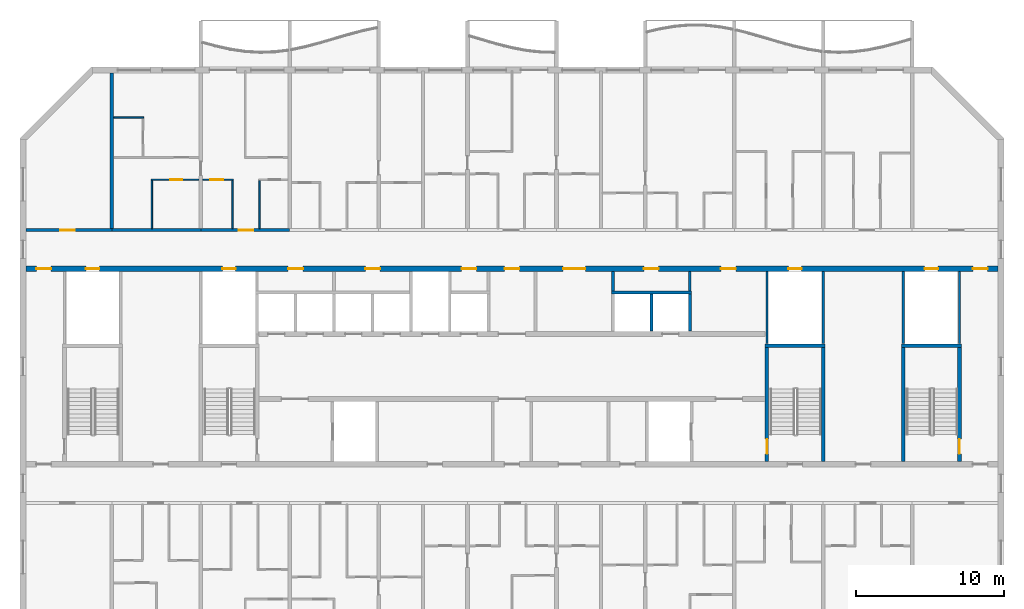
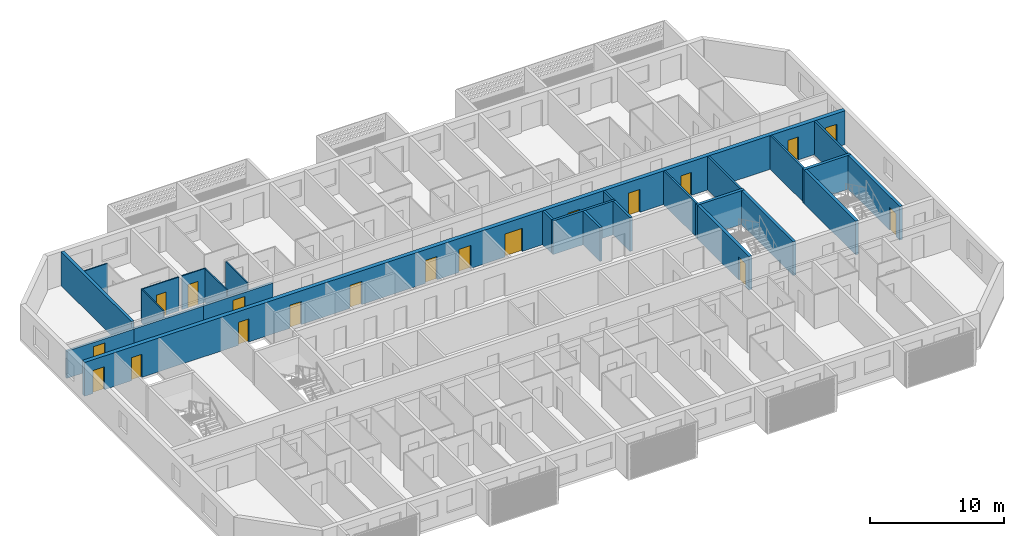
# One storey, part 7 of 26: 26 walls, 19 doors, 19 openings.
"""IFC4 building model written with IfcOpenShell, lengths in metres."""

from ifc_helpers import new_model, si_unit, direction, frame, frame_2d, origin, place, context, subcontext, project, spatial, rectangle, extrude, material, layer, layer_set, type_object, element, fill, save


model = new_model("IFC4")

# Units and contexts
model_context = context("Model", 3, precision=1e-05, world=origin(), true_north=direction((0.0, 1.0)))
body_context = subcontext(model_context, "Body", "Model", "MODEL_VIEW")
ifc_project = project(units=[si_unit("LENGTHUNIT", "METRE"), si_unit("AREAUNIT", "SQUARE_METRE"), si_unit("VOLUMEUNIT", "CUBIC_METRE"), si_unit("PLANEANGLEUNIT", "RADIAN"), si_unit("MASSUNIT", "GRAM", prefix="KILO")], contexts=[model_context])

# Site, building, storey
site_placement = place(None, origin())
site = spatial("IfcSite", under=ifc_project, at=site_placement, CompositionType="ELEMENT")
building_placement = place(site_placement, origin())
building = spatial("IfcBuilding", under=site, at=building_placement, Name="Poui Terraces", CompositionType="ELEMENT")
storey_placement = place(building_placement, frame((0.0, 0.0, 221.39990234375)))
storey = spatial("IfcBuildingStorey", under=building, at=storey_placement, Name="L61", CompositionType="ELEMENT", Elevation=221.39990234375)

# Wall, opening, door
ifc_material_1 = material(Name="Concrete 50 MPa", Category="concrete")
ifc_layer_1 = layer(ifc_material_1, 0.199951171875)
ifc_layer_set_1 = layer_set([ifc_layer_1], Name="Concrete 50 MPa")
wall_type_1 = type_object("IfcWallType", Name="CORRIDOR WALL 200 50MPa", PredefinedType="SHEAR", material=ifc_layer_set_1)
wall_1_placement = place(storey_placement, frame((18.199951171875, 30.39990234375, 0.0), z_axis=(0.0, 0.0, 1.0), x_axis=(1.0, 0.0, 0.0)))
wall_1 = element("IfcWall", 1, at=wall_1_placement, inside=storey, type_object=wall_type_1, Name="CORRIDOR WALL LINE E BAY 1", PredefinedType="SHEAR", context=body_context, shape_type="SweptSolid", body=[
    extrude(rectangle(XDim=5.800048828125, YDim=0.199951171875, at=frame_2d((2.89990234375, 0.0))), origin(), (0.0, 0.0, 1.0), 2.47998046875),
])
opening_1_placement = place(wall_1_placement, frame((2.300048828125, 0.0, 0.0)))
opening_1 = element("IfcOpeningElement", 2, at=opening_1_placement, cuts=wall_1, Name="Opening D100", PredefinedType="OPENING", context=body_context, shape_type="SweptSolid", body=[
    extrude(rectangle(XDim=1.0, YDim=2.10009765625, at=frame_2d((0.5, 1.050048828125))), frame((0.0, 0.10986328125, 0.0), z_axis=(0.0, -1.0, 0.0), x_axis=(1.0, 0.0, 0.0)), (0.0, 0.0, 1.0), 0.219970703125),
])
ifc_material_2 = material(Name="Solid core timber door", Category="wood")
door_type_1 = type_object("IfcDoorType", Name="ACCESSIBLE INTERNAL DOOR 1000 X 2100", OperationType="NOTDEFINED", PredefinedType="DOOR", material=ifc_material_2)
door_1_placement = place(opening_1_placement, origin())
door_1 = element("IfcDoor", 3, at=door_1_placement, inside=storey, type_object=door_type_1, Name="ACCESSIBLE INTERNAL DOOR 024", OperationType="SINGLE_SWING_LEFT", OverallHeight=2.10009765625, OverallWidth=1.0, PredefinedType="DOOR", context=body_context, shape_type="SweptSolid", body=[
    extrude(rectangle(XDim=1.0, YDim=2.10009765625, at=frame_2d((0.5, 1.050048828125))), frame((0.0, 0.02490234375, 0.0), z_axis=(0.0, -1.0, 0.0), x_axis=(1.0, 0.0, 0.0)), (0.0, 0.0, 1.0), 0.050048828125),
])
fill(opening_1, door_1)

# Wall
wall_2_placement = place(storey_placement, frame((24.0, 30.39990234375, 0.0), z_axis=(0.0, 0.0, 1.0), x_axis=(1.0, 0.0, 0.0)))
element("IfcWall", 4, at=wall_2_placement, inside=storey, type_object=wall_type_1, Name="CORRIDOR WALL LINE E BAY 2", PredefinedType="SHEAR", context=body_context, shape_type="SweptSolid", body=[
    extrude(rectangle(XDim=6.0, YDim=0.199951171875, at=frame_2d((3.0, 0.0))), origin(), (0.0, 0.0, 1.0), 2.47998046875),
])

# Wall, opening, door
wall_3_placement = place(storey_placement, frame((30.0, 30.39990234375, 0.0), z_axis=(0.0, 0.0, 1.0), x_axis=(1.0, 0.0, 0.0)))
wall_3 = element("IfcWall", 5, at=wall_3_placement, inside=storey, type_object=wall_type_1, Name="CORRIDOR WALL LINE E BAY 3", PredefinedType="SHEAR", context=body_context, shape_type="SweptSolid", body=[
    extrude(rectangle(XDim=6.0, YDim=0.199951171875, at=frame_2d((3.0, 0.0))), origin(), (0.0, 0.0, 1.0), 2.47998046875),
])
opening_2_placement = place(wall_3_placement, frame((2.550048828125, 0.0, 0.0)))
opening_2 = element("IfcOpeningElement", 6, at=opening_2_placement, cuts=wall_3, Name="Opening FD30S", PredefinedType="OPENING", context=body_context, shape_type="SweptSolid", body=[
    extrude(rectangle(XDim=1.0, YDim=2.10009765625, at=frame_2d((0.5, 1.050048828125))), frame((0.0, 0.10986328125, 0.0), z_axis=(0.0, -1.0, 0.0), x_axis=(1.0, 0.0, 0.0)), (0.0, 0.0, 1.0), 0.219970703125),
])
ifc_material_3 = material(Name="Steel fire door", Category="steel")
door_type_2 = type_object("IfcDoorType", Name="FLAT ENTRANCE DOOR 1000 X 2100", OperationType="NOTDEFINED", PredefinedType="DOOR", material=ifc_material_3)
door_2_placement = place(opening_2_placement, origin())
door_2 = element("IfcDoor", 7, at=door_2_placement, inside=storey, type_object=door_type_2, Name="FLAT ENTRANCE DOOR 029", OperationType="SINGLE_SWING_RIGHT", OverallHeight=2.10009765625, OverallWidth=1.0, PredefinedType="DOOR", context=body_context, shape_type="SweptSolid", body=[
    extrude(rectangle(XDim=1.0, YDim=2.10009765625, at=frame_2d((0.5, 1.050048828125))), frame((0.0, 0.02490234375, 0.0), z_axis=(0.0, -1.0, 0.0), x_axis=(1.0, 0.0, 0.0)), (0.0, 0.0, 1.0), 0.050048828125),
])
fill(opening_2, door_2)

# Wall
ifc_layer_2 = layer(ifc_material_1, 0.25)
ifc_layer_set_2 = layer_set([ifc_layer_2], Name="Concrete 50 MPa")
wall_type_2 = type_object("IfcWallType", Name="CROSS WALL 250 50MPa", PredefinedType="SHEAR", material=ifc_layer_set_2)
wall_4_placement = place(storey_placement, frame((24.0, 30.5, 0.0), z_axis=(0.0, 0.0, 1.0), x_axis=(0.0, 1.0, 0.0)))
element("IfcWall", 8, at=wall_4_placement, inside=storey, type_object=wall_type_2, Name="CROSS WALL LINE 5 NORTH", PredefinedType="SHEAR", context=body_context, shape_type="SweptSolid", body=[
    extrude(rectangle(XDim=10.5, YDim=0.25, at=frame_2d((5.25, 0.0))), origin(), (0.0, 0.0, 1.0), 3.080078125),
])

# Wall, opening, door
ifc_material_4 = material(Name="Plasterboard partition")
ifc_layer_3 = layer(ifc_material_4, 0.10009765625)
ifc_layer_set_3 = layer_set([ifc_layer_3], Name="Plasterboard partition")
wall_type_3 = type_object("IfcWallType", Name="FLAT PARTITION 100", PredefinedType="PARTITIONING", material=ifc_layer_set_3)
wall_5_placement = place(storey_placement, frame((26.64990234375, 33.800048828125, 0.0), z_axis=(0.0, 0.0, 1.0), x_axis=(1.0, 0.0, 0.0)))
wall_5 = element("IfcWall", 9, at=wall_5_placement, inside=storey, type_object=wall_type_3, Name="FLAT PARTITION 100", PredefinedType="PARTITIONING", context=body_context, shape_type="SweptSolid", body=[
    extrude(rectangle(XDim=3.215087890625, YDim=0.10009765625, at=frame_2d((1.607421875, 0.0))), origin(), (0.0, 0.0, 1.0), 3.080078125),
])
opening_3_placement = place(wall_5_placement, frame((1.300048828125, 0.0, 0.0)))
opening_3 = element("IfcOpeningElement", 10, at=opening_3_placement, cuts=wall_5, Name="Opening D80", PredefinedType="OPENING", context=body_context, shape_type="SweptSolid", body=[
    extrude(rectangle(XDim=0.800048828125, YDim=2.10009765625, at=frame_2d((0.39990234375, 1.050048828125))), frame((0.0, 0.06005859375, 0.0), z_axis=(0.0, -1.0, 0.0), x_axis=(1.0, 0.0, 0.0)), (0.0, 0.0, 1.0), 0.1201171875),
])
door_type_3 = type_object("IfcDoorType", Name="BATHROOM, LAUNDRY AND STORE DOOR 800 X 2100", OperationType="NOTDEFINED", PredefinedType="DOOR", material=ifc_material_2)
door_3_placement = place(opening_3_placement, origin())
door_3 = element("IfcDoor", 11, at=door_3_placement, inside=storey, type_object=door_type_3, Name="BATHROOM, LAUNDRY AND STORE DOOR 025", OperationType="SINGLE_SWING_LEFT", OverallHeight=2.10009765625, OverallWidth=0.800048828125, PredefinedType="DOOR", context=body_context, shape_type="SweptSolid", body=[
    extrude(rectangle(XDim=0.800048828125, YDim=2.10009765625, at=frame_2d((0.39990234375, 1.050048828125))), frame((0.0, 0.02490234375, 0.0), z_axis=(0.0, -1.0, 0.0), x_axis=(1.0, 0.0, 0.0)), (0.0, 0.0, 1.0), 0.050048828125),
])
fill(opening_3, door_3)

wall_6_placement = place(storey_placement, frame((30.135009765625, 33.800048828125, 0.0), z_axis=(0.0, 0.0, 1.0), x_axis=(1.0, 0.0, 0.0)))
wall_6 = element("IfcWall", 12, at=wall_6_placement, inside=storey, type_object=wall_type_3, Name="FLAT PARTITION 100", PredefinedType="PARTITIONING", context=body_context, shape_type="SweptSolid", body=[
    extrude(rectangle(XDim=2.06494140625, YDim=0.10009765625, at=frame_2d((1.032470703125, 0.0))), origin(), (0.0, 0.0, 1.0), 3.080078125),
])
opening_4_placement = place(wall_6_placement, frame((0.489990234375, 0.0, 0.0)))
opening_4 = element("IfcOpeningElement", 13, at=opening_4_placement, cuts=wall_6, Name="Opening D90", PredefinedType="OPENING", context=body_context, shape_type="SweptSolid", body=[
    extrude(rectangle(XDim=0.89990234375, YDim=2.10009765625, at=frame_2d((0.449951171875, 1.050048828125))), frame((0.0, 0.06005859375, 0.0), z_axis=(0.0, -1.0, 0.0), x_axis=(1.0, 0.0, 0.0)), (0.0, 0.0, 1.0), 0.1201171875),
])
door_type_4 = type_object("IfcDoorType", Name="INTERNAL DOOR 900 X 2100", OperationType="NOTDEFINED", PredefinedType="DOOR", material=ifc_material_2)
door_4_placement = place(opening_4_placement, frame((0.89990234375, 0.0, 0.0), z_axis=(0.0, 0.0, 1.0), x_axis=(-1.0, 0.0, 0.0)))
door_4 = element("IfcDoor", 14, at=door_4_placement, inside=storey, type_object=door_type_4, Name="INTERNAL DOOR 028", OperationType="SINGLE_SWING_RIGHT", OverallHeight=2.10009765625, OverallWidth=0.89990234375, PredefinedType="DOOR", context=body_context, shape_type="SweptSolid", body=[
    extrude(rectangle(XDim=0.89990234375, YDim=2.10009765625, at=frame_2d((0.449951171875, 1.050048828125))), frame((0.0, 0.02490234375, 0.0), z_axis=(0.0, -1.0, 0.0), x_axis=(1.0, 0.0, 0.0)), (0.0, 0.0, 1.0), 0.050048828125),
])
fill(opening_4, door_4)

# Walls
wall_7_placement = place(storey_placement, frame((24.135009765625, 38.0, 0.0), z_axis=(0.0, 0.0, 1.0), x_axis=(1.0, 0.0, 0.0)))
element("IfcWall", 15, at=wall_7_placement, inside=storey, type_object=wall_type_3, Name="FLAT PARTITION 100", PredefinedType="PARTITIONING", context=body_context, shape_type="SweptSolid", body=[
    extrude(rectangle(XDim=2.014892578125, YDim=0.10009765625, at=frame_2d((1.00732421875, 0.0))), origin(), (0.0, 0.0, 1.0), 3.080078125),
])
for number, where, z_axis, x_axis, name in (
    (16, (26.699951171875, 30.510009765625, 0.0), (0.0, 0.0, 1.0), (0.0, 1.0, 0.0), "FLAT PARTITION 100"),
    (17, (32.14990234375, 30.510009765625, 0.0), (0.0, 0.0, 1.0), (0.0, 1.0, 0.0), "FLAT PARTITION 100"),
    (18, (33.949951171875, 30.510009765625, 0.0), (0.0, 0.0, 1.0), (0.0, 1.0, 0.0), "FLAT PARTITION 100"),
):
    element("IfcWall", number, at=place(storey_placement, frame(where, z_axis=z_axis, x_axis=x_axis)), inside=storey, type_object=wall_type_3, Name=name, PredefinedType="PARTITIONING", context=body_context, shape_type="SweptSolid", body=[
        extrude(rectangle(XDim=3.239990234375, YDim=0.10009765625, at=frame_2d((1.6201171875, 0.0))), origin(), (0.0, 0.0, 1.0), 3.080078125),
    ])
ifc_layer_4 = layer(ifc_material_4, 0.14990234375)
ifc_layer_set_4 = layer_set([ifc_layer_4], Name="Plasterboard partition")
wall_type_4 = type_object("IfcWallType", Name="PARTITION WALL 150", PredefinedType="PARTITIONING", material=ifc_layer_set_4)
wall_8_placement = place(storey_placement, frame((63.0, 26.300048828125, 0.0), z_axis=(0.0, 0.0, 1.0), x_axis=(0.0, 1.0, 0.0)))
element("IfcWall", 19, at=wall_8_placement, inside=storey, type_object=wall_type_4, Name="PARTITION WALL 150", PredefinedType="PARTITIONING", context=body_context, shape_type="SweptSolid", body=[
    extrude(rectangle(XDim=1.31494140625, YDim=0.14990234375, at=frame_2d((0.657470703125, 0.0))), origin(), (0.0, 0.0, 1.0), 3.080078125),
])
ifc_material_5 = material(Name="Fire-rated masonry wall", Category="masonry")
ifc_layer_5 = layer(ifc_material_5, 0.199951171875)
ifc_layer_set_5 = layer_set([ifc_layer_5], Name="Fire-rated masonry wall")
wall_type_5 = type_object("IfcWallType", Name="PLANT ROOM WALL 200", PredefinedType="PARTITIONING", material=ifc_layer_set_5)
wall_9_placement = place(storey_placement, frame((57.800048828125, 26.300048828125, 0.0), z_axis=(0.0, 0.0, 1.0), x_axis=(0.0, 1.0, 0.0)))
element("IfcWall", 20, at=wall_9_placement, inside=storey, type_object=wall_type_5, Name="PLANT ROOM WALL 200", PredefinedType="PARTITIONING", context=body_context, shape_type="SweptSolid", body=[
    extrude(rectangle(XDim=1.31494140625, YDim=0.199951171875, at=frame_2d((0.657470703125, 0.0))), origin(), (0.0, 0.0, 1.0), 3.080078125),
])
ifc_material_6 = material(Name="Fire-rated plasterboard riser wall")
ifc_layer_6 = layer(ifc_material_6, 0.14990234375)
ifc_layer_set_6 = layer_set([ifc_layer_6], Name="Fire-rated plasterboard riser wall")
wall_type_6 = type_object("IfcWallType", Name="RISER WALL 150", PredefinedType="PARTITIONING", material=ifc_layer_set_6)
for number, where, z_axis, x_axis, name in (
    (21, (68.199951171875, 22.735107421875, 0.0), (0.0, 0.0, 1.0), (0.0, 1.0, 0.0), "RISER WALL 150"),
    (22, (72.0, 22.735107421875, 0.0), (0.0, 0.0, 1.0), (0.0, 1.0, 0.0), "RISER WALL 150"),
    (23, (77.39990234375, 22.735107421875, 0.0), (0.0, 0.0, 1.0), (0.0, 1.0, 0.0), "RISER WALL 150"),
    (24, (81.199951171875, 22.735107421875, 0.0), (0.0, 0.0, 1.0), (0.0, 1.0, 0.0), "RISER WALL 150"),
):
    element("IfcWall", number, at=place(storey_placement, frame(where, z_axis=z_axis, x_axis=x_axis)), inside=storey, type_object=wall_type_6, Name=name, PredefinedType="PARTITIONING", context=body_context, shape_type="SweptSolid", body=[
        extrude(rectangle(XDim=4.8798828125, YDim=0.14990234375, at=frame_2d((2.43994140625, 0.0))), origin(), (0.0, 0.0, 1.0), 3.080078125),
    ])
ifc_material_7 = material(Name="Fire-rated masonry shaft wall", Category="masonry")
ifc_layer_7 = layer(ifc_material_7, 0.199951171875)
ifc_layer_set_7 = layer_set([ifc_layer_7], Name="Fire-rated masonry shaft wall")
wall_type_7 = type_object("IfcWallType", Name="SHAFT WALL 200", PredefinedType="PARTITIONING", material=ifc_layer_set_7)
wall_10_placement = place(storey_placement, frame((57.699951171875, 26.199951171875, 0.0), z_axis=(0.0, 0.0, 1.0), x_axis=(1.0, 0.0, 0.0)))
element("IfcWall", 25, at=wall_10_placement, inside=storey, type_object=wall_type_7, Name="SHAFT WALL 200", PredefinedType="PARTITIONING", context=body_context, shape_type="SweptSolid", body=[
    extrude(rectangle(XDim=5.400146484375, YDim=0.199951171875, at=frame_2d((2.7001953125, 0.0))), origin(), (0.0, 0.0, 1.0), 3.080078125),
])
for number, where, z_axis, x_axis, name in (
    (26, (60.39990234375, 23.5849609375, 0.0), (0.0, 0.0, 1.0), (0.0, 1.0, 0.0), "SHAFT WALL 200"),
    (27, (63.0, 23.5849609375, 0.0), (0.0, 0.0, 1.0), (0.0, 1.0, 0.0), "SHAFT WALL 200"),
):
    element("IfcWall", number, at=place(storey_placement, frame(where, z_axis=z_axis, x_axis=x_axis)), inside=storey, type_object=wall_type_7, Name=name, PredefinedType="PARTITIONING", context=body_context, shape_type="SweptSolid", body=[
        extrude(rectangle(XDim=2.51513671875, YDim=0.199951171875, at=frame_2d((1.257568359375, 0.0))), origin(), (0.0, 0.0, 1.0), 3.080078125),
    ])

# Wall, openings, doors
ifc_layer_8 = layer(ifc_material_1, 0.35009765625)
ifc_layer_set_8 = layer_set([ifc_layer_8], Name="Concrete 50 MPa")
wall_type_8 = type_object("IfcWallType", Name="SPINE WALL 350 50 MPA", PredefinedType="SOLIDWALL", material=ifc_layer_set_8)
wall_11_placement = place(storey_placement, frame((18.199951171875, 27.800048828125, 0.0), z_axis=(0.0, 0.0, 1.0), x_axis=(1.0, 0.0, 0.0)))
wall_11 = element("IfcWall", 28, at=wall_11_placement, inside=storey, type_object=wall_type_8, Name="SPINE WALL", PredefinedType="SOLIDWALL", context=body_context, shape_type="SweptSolid", body=[
    extrude(rectangle(XDim=65.60009765625, YDim=0.35009765625, at=frame_2d((32.800048828125, 0.0))), origin(), (0.0, 0.0, 1.0), 3.080078125),
])
opening_5_placement = place(wall_11_placement, frame((0.699951171875, 0.0, 0.0)))
opening_5 = element("IfcOpeningElement", 29, at=opening_5_placement, cuts=wall_11, Name="Opening FDL", PredefinedType="OPENING", context=body_context, shape_type="SweptSolid", body=[
    extrude(rectangle(XDim=1.0, YDim=2.10009765625, at=frame_2d((0.5, 1.050048828125))), frame((0.0, 0.18505859375, 0.0), z_axis=(0.0, -1.0, 0.0), x_axis=(1.0, 0.0, 0.0)), (0.0, 0.0, 1.0), 0.3701171875),
])
opening_6_placement = place(wall_11_placement, frame((4.050048828125, 0.0, 0.0)))
opening_6 = element("IfcOpeningElement", 30, at=opening_6_placement, cuts=wall_11, Name="Opening FDR", PredefinedType="OPENING", context=body_context, shape_type="SweptSolid", body=[
    extrude(rectangle(XDim=0.89990234375, YDim=2.10009765625, at=frame_2d((0.449951171875, 1.050048828125))), frame((0.0, 0.18505859375, 0.0), z_axis=(0.0, -1.0, 0.0), x_axis=(1.0, 0.0, 0.0)), (0.0, 0.0, 1.0), 0.3701171875),
])
opening_7_placement = place(wall_11_placement, frame((13.25, 0.0, 0.0)))
opening_7 = element("IfcOpeningElement", 31, at=opening_7_placement, cuts=wall_11, Name="Opening FDR", PredefinedType="OPENING", context=body_context, shape_type="SweptSolid", body=[
    extrude(rectangle(XDim=0.89990234375, YDim=2.10009765625, at=frame_2d((0.449951171875, 1.050048828125))), frame((0.0, 0.18505859375, 0.0), z_axis=(0.0, -1.0, 0.0), x_axis=(1.0, 0.0, 0.0)), (0.0, 0.0, 1.0), 0.3701171875),
])
opening_8_placement = place(wall_11_placement, frame((17.699951171875, 0.0, 0.0)))
opening_8 = element("IfcOpeningElement", 32, at=opening_8_placement, cuts=wall_11, Name="Opening FD60", PredefinedType="OPENING", context=body_context, shape_type="SweptSolid", body=[
    extrude(rectangle(XDim=1.0, YDim=2.10009765625, at=frame_2d((0.5, 1.050048828125))), frame((0.0, 0.18505859375, 0.0), z_axis=(0.0, -1.0, 0.0), x_axis=(1.0, 0.0, 0.0)), (0.0, 0.0, 1.0), 0.3701171875),
])
opening_9_placement = place(wall_11_placement, frame((22.89990234375, 0.0, 0.0)))
opening_9 = element("IfcOpeningElement", 33, at=opening_9_placement, cuts=wall_11, Name="Opening FD60", PredefinedType="OPENING", context=body_context, shape_type="SweptSolid", body=[
    extrude(rectangle(XDim=1.0, YDim=2.10009765625, at=frame_2d((0.5, 1.050048828125))), frame((0.0, 0.18505859375, 0.0), z_axis=(0.0, -1.0, 0.0), x_axis=(1.0, 0.0, 0.0)), (0.0, 0.0, 1.0), 0.3701171875),
])
opening_10_placement = place(wall_11_placement, frame((29.39990234375, 0.0, 0.0)))
opening_10 = element("IfcOpeningElement", 34, at=opening_10_placement, cuts=wall_11, Name="Opening FD60", PredefinedType="OPENING", context=body_context, shape_type="SweptSolid", body=[
    extrude(rectangle(XDim=1.0, YDim=2.10009765625, at=frame_2d((0.5, 1.050048828125))), frame((0.0, 0.18505859375, 0.0), z_axis=(0.0, -1.0, 0.0), x_axis=(1.0, 0.0, 0.0)), (0.0, 0.0, 1.0), 0.3701171875),
])
opening_11_placement = place(wall_11_placement, frame((32.300048828125, 0.0, 0.0)))
opening_11 = element("IfcOpeningElement", 35, at=opening_11_placement, cuts=wall_11, Name="Opening FDL", PredefinedType="OPENING", context=body_context, shape_type="SweptSolid", body=[
    extrude(rectangle(XDim=1.0, YDim=2.10009765625, at=frame_2d((0.5, 1.050048828125))), frame((0.0, 0.18505859375, 0.0), z_axis=(0.0, -1.0, 0.0), x_axis=(1.0, 0.0, 0.0)), (0.0, 0.0, 1.0), 0.3701171875),
])
opening_12_placement = place(wall_11_placement, frame((36.25, 0.0, 0.0)))
opening_12 = element("IfcOpeningElement", 36, at=opening_12_placement, cuts=wall_11, Name="Opening FDP", PredefinedType="OPENING", context=body_context, shape_type="SweptSolid", body=[
    extrude(rectangle(XDim=1.5, YDim=2.10009765625, at=frame_2d((0.75, 1.050048828125))), frame((0.0, 0.18505859375, 0.0), z_axis=(0.0, -1.0, 0.0), x_axis=(1.0, 0.0, 0.0)), (0.0, 0.0, 1.0), 0.3701171875),
])
opening_13_placement = place(wall_11_placement, frame((41.699951171875, 0.0, 0.0)))
opening_13 = element("IfcOpeningElement", 37, at=opening_13_placement, cuts=wall_11, Name="Opening FD60", PredefinedType="OPENING", context=body_context, shape_type="SweptSolid", body=[
    extrude(rectangle(XDim=1.0, YDim=2.10009765625, at=frame_2d((0.5, 1.050048828125))), frame((0.0, 0.18505859375, 0.0), z_axis=(0.0, -1.0, 0.0), x_axis=(1.0, 0.0, 0.0)), (0.0, 0.0, 1.0), 0.3701171875),
])
opening_14_placement = place(wall_11_placement, frame((46.89990234375, 0.0, 0.0)))
opening_14 = element("IfcOpeningElement", 38, at=opening_14_placement, cuts=wall_11, Name="Opening FD60", PredefinedType="OPENING", context=body_context, shape_type="SweptSolid", body=[
    extrude(rectangle(XDim=1.0, YDim=2.10009765625, at=frame_2d((0.5, 1.050048828125))), frame((0.0, 0.18505859375, 0.0), z_axis=(0.0, -1.0, 0.0), x_axis=(1.0, 0.0, 0.0)), (0.0, 0.0, 1.0), 0.3701171875),
])
opening_15_placement = place(wall_11_placement, frame((51.449951171875, 0.0, 0.0)))
opening_15 = element("IfcOpeningElement", 39, at=opening_15_placement, cuts=wall_11, Name="Opening FDR", PredefinedType="OPENING", context=body_context, shape_type="SweptSolid", body=[
    extrude(rectangle(XDim=0.89990234375, YDim=2.10009765625, at=frame_2d((0.449951171875, 1.050048828125))), frame((0.0, 0.18505859375, 0.0), z_axis=(0.0, -1.0, 0.0), x_axis=(1.0, 0.0, 0.0)), (0.0, 0.0, 1.0), 0.3701171875),
])
opening_16_placement = place(wall_11_placement, frame((60.64990234375, 0.0, 0.0)))
opening_16 = element("IfcOpeningElement", 40, at=opening_16_placement, cuts=wall_11, Name="Opening FDR", PredefinedType="OPENING", context=body_context, shape_type="SweptSolid", body=[
    extrude(rectangle(XDim=0.89990234375, YDim=2.10009765625, at=frame_2d((0.449951171875, 1.050048828125))), frame((0.0, 0.18505859375, 0.0), z_axis=(0.0, -1.0, 0.0), x_axis=(1.0, 0.0, 0.0)), (0.0, 0.0, 1.0), 0.3701171875),
])
opening_17_placement = place(wall_11_placement, frame((63.89990234375, 0.0, 0.0)))
opening_17 = element("IfcOpeningElement", 41, at=opening_17_placement, cuts=wall_11, Name="Opening FDL", PredefinedType="OPENING", context=body_context, shape_type="SweptSolid", body=[
    extrude(rectangle(XDim=1.0, YDim=2.10009765625, at=frame_2d((0.5, 1.050048828125))), frame((0.0, 0.18505859375, 0.0), z_axis=(0.0, -1.0, 0.0), x_axis=(1.0, 0.0, 0.0)), (0.0, 0.0, 1.0), 0.3701171875),
])
door_type_5 = type_object("IfcDoorType", Name="LOBBY FIRE DOOR 1000 X 2100", OperationType="NOTDEFINED", PredefinedType="DOOR", material=ifc_material_3)
door_5_placement = place(opening_5_placement, origin())
door_5 = element("IfcDoor", 42, at=door_5_placement, inside=storey, type_object=door_type_5, Name="LOBBY FIRE DOOR 001", OperationType="SINGLE_SWING_LEFT", OverallHeight=2.10009765625, OverallWidth=1.0, PredefinedType="DOOR", context=body_context, shape_type="SweptSolid", body=[
    extrude(rectangle(XDim=1.0, YDim=2.10009765625, at=frame_2d((0.5, 1.050048828125))), frame((0.0, 0.02490234375, 0.0), z_axis=(0.0, -1.0, 0.0), x_axis=(1.0, 0.0, 0.0)), (0.0, 0.0, 1.0), 0.050048828125),
])
fill(opening_5, door_5)
door_6_placement = place(opening_11_placement, origin())
door_6 = element("IfcDoor", 43, at=door_6_placement, inside=storey, type_object=door_type_5, Name="LOBBY FIRE DOOR 007", OperationType="SINGLE_SWING_RIGHT", OverallHeight=2.10009765625, OverallWidth=1.0, PredefinedType="DOOR", context=body_context, shape_type="SweptSolid", body=[
    extrude(rectangle(XDim=1.0, YDim=2.10009765625, at=frame_2d((0.5, 1.050048828125))), frame((0.0, 0.02490234375, 0.0), z_axis=(0.0, -1.0, 0.0), x_axis=(1.0, 0.0, 0.0)), (0.0, 0.0, 1.0), 0.050048828125),
])
fill(opening_11, door_6)
door_7_placement = place(opening_17_placement, origin())
door_7 = element("IfcDoor", 44, at=door_7_placement, inside=storey, type_object=door_type_5, Name="LOBBY FIRE DOOR 013", OperationType="SINGLE_SWING_RIGHT", OverallHeight=2.10009765625, OverallWidth=1.0, PredefinedType="DOOR", context=body_context, shape_type="SweptSolid", body=[
    extrude(rectangle(XDim=1.0, YDim=2.10009765625, at=frame_2d((0.5, 1.050048828125))), frame((0.0, 0.02490234375, 0.0), z_axis=(0.0, -1.0, 0.0), x_axis=(1.0, 0.0, 0.0)), (0.0, 0.0, 1.0), 0.050048828125),
])
fill(opening_17, door_7)
door_type_6 = type_object("IfcDoorType", Name="PLANT ROOM DOOR PAIR 1500 X 2100", OperationType="DOUBLE_DOOR_SINGLE_SWING", PredefinedType="DOOR", material=ifc_material_3)
door_8_placement = place(opening_12_placement, origin())
door_8 = element("IfcDoor", 45, at=door_8_placement, inside=storey, type_object=door_type_6, Name="PLANT ROOM DOOR PAIR 008", OperationType="DOUBLE_DOOR_SINGLE_SWING", OverallHeight=2.10009765625, OverallWidth=1.5, PredefinedType="DOOR", context=body_context, shape_type="SweptSolid", body=[
    extrude(rectangle(XDim=1.5, YDim=2.10009765625, at=frame_2d((0.75, 1.050048828125))), frame((0.0, 0.02490234375, 0.0), z_axis=(0.0, -1.0, 0.0), x_axis=(1.0, 0.0, 0.0)), (0.0, 0.0, 1.0), 0.050048828125),
])
fill(opening_12, door_8)
door_type_7 = type_object("IfcDoorType", Name="RISER CUPBOARD DOOR 900 X 2100", OperationType="NOTDEFINED", PredefinedType="DOOR", material=ifc_material_3)
door_9_placement = place(opening_6_placement, origin())
door_9 = element("IfcDoor", 46, at=door_9_placement, inside=storey, type_object=door_type_7, Name="RISER CUPBOARD DOOR 002", OperationType="SINGLE_SWING_LEFT", OverallHeight=2.10009765625, OverallWidth=0.89990234375, PredefinedType="DOOR", context=body_context, shape_type="SweptSolid", body=[
    extrude(rectangle(XDim=0.89990234375, YDim=2.10009765625, at=frame_2d((0.449951171875, 1.050048828125))), frame((0.0, 0.02490234375, 0.0), z_axis=(0.0, -1.0, 0.0), x_axis=(1.0, 0.0, 0.0)), (0.0, 0.0, 1.0), 0.050048828125),
])
fill(opening_6, door_9)
door_10_placement = place(opening_7_placement, origin())
door_10 = element("IfcDoor", 47, at=door_10_placement, inside=storey, type_object=door_type_7, Name="RISER CUPBOARD DOOR 003", OperationType="SINGLE_SWING_LEFT", OverallHeight=2.10009765625, OverallWidth=0.89990234375, PredefinedType="DOOR", context=body_context, shape_type="SweptSolid", body=[
    extrude(rectangle(XDim=0.89990234375, YDim=2.10009765625, at=frame_2d((0.449951171875, 1.050048828125))), frame((0.0, 0.02490234375, 0.0), z_axis=(0.0, -1.0, 0.0), x_axis=(1.0, 0.0, 0.0)), (0.0, 0.0, 1.0), 0.050048828125),
])
fill(opening_7, door_10)
door_11_placement = place(opening_15_placement, origin())
door_11 = element("IfcDoor", 48, at=door_11_placement, inside=storey, type_object=door_type_7, Name="RISER CUPBOARD DOOR 011", OperationType="SINGLE_SWING_RIGHT", OverallHeight=2.10009765625, OverallWidth=0.89990234375, PredefinedType="DOOR", context=body_context, shape_type="SweptSolid", body=[
    extrude(rectangle(XDim=0.89990234375, YDim=2.10009765625, at=frame_2d((0.449951171875, 1.050048828125))), frame((0.0, 0.02490234375, 0.0), z_axis=(0.0, -1.0, 0.0), x_axis=(1.0, 0.0, 0.0)), (0.0, 0.0, 1.0), 0.050048828125),
])
fill(opening_15, door_11)
door_12_placement = place(opening_16_placement, origin())
door_12 = element("IfcDoor", 49, at=door_12_placement, inside=storey, type_object=door_type_7, Name="RISER CUPBOARD DOOR 012", OperationType="SINGLE_SWING_RIGHT", OverallHeight=2.10009765625, OverallWidth=0.89990234375, PredefinedType="DOOR", context=body_context, shape_type="SweptSolid", body=[
    extrude(rectangle(XDim=0.89990234375, YDim=2.10009765625, at=frame_2d((0.449951171875, 1.050048828125))), frame((0.0, 0.02490234375, 0.0), z_axis=(0.0, -1.0, 0.0), x_axis=(1.0, 0.0, 0.0)), (0.0, 0.0, 1.0), 0.050048828125),
])
fill(opening_16, door_12)
door_type_8 = type_object("IfcDoorType", Name="SERVICE ROOM FIRE DOOR 1000 X 2100", OperationType="NOTDEFINED", PredefinedType="DOOR", material=ifc_material_3)
door_13_placement = place(opening_8_placement, origin())
door_13 = element("IfcDoor", 50, at=door_13_placement, inside=storey, type_object=door_type_8, Name="SERVICE ROOM FIRE DOOR 004", OperationType="SINGLE_SWING_RIGHT", OverallHeight=2.10009765625, OverallWidth=1.0, PredefinedType="DOOR", context=body_context, shape_type="SweptSolid", body=[
    extrude(rectangle(XDim=1.0, YDim=2.10009765625, at=frame_2d((0.5, 1.050048828125))), frame((0.0, 0.02490234375, 0.0), z_axis=(0.0, -1.0, 0.0), x_axis=(1.0, 0.0, 0.0)), (0.0, 0.0, 1.0), 0.050048828125),
])
fill(opening_8, door_13)
door_14_placement = place(opening_9_placement, origin())
door_14 = element("IfcDoor", 51, at=door_14_placement, inside=storey, type_object=door_type_8, Name="SERVICE ROOM FIRE DOOR 005", OperationType="SINGLE_SWING_LEFT", OverallHeight=2.10009765625, OverallWidth=1.0, PredefinedType="DOOR", context=body_context, shape_type="SweptSolid", body=[
    extrude(rectangle(XDim=1.0, YDim=2.10009765625, at=frame_2d((0.5, 1.050048828125))), frame((0.0, 0.02490234375, 0.0), z_axis=(0.0, -1.0, 0.0), x_axis=(1.0, 0.0, 0.0)), (0.0, 0.0, 1.0), 0.050048828125),
])
fill(opening_9, door_14)
door_15_placement = place(opening_10_placement, origin())
door_15 = element("IfcDoor", 52, at=door_15_placement, inside=storey, type_object=door_type_8, Name="SERVICE ROOM FIRE DOOR 006", OperationType="SINGLE_SWING_RIGHT", OverallHeight=2.10009765625, OverallWidth=1.0, PredefinedType="DOOR", context=body_context, shape_type="SweptSolid", body=[
    extrude(rectangle(XDim=1.0, YDim=2.10009765625, at=frame_2d((0.5, 1.050048828125))), frame((0.0, 0.02490234375, 0.0), z_axis=(0.0, -1.0, 0.0), x_axis=(1.0, 0.0, 0.0)), (0.0, 0.0, 1.0), 0.050048828125),
])
fill(opening_10, door_15)
door_16_placement = place(opening_13_placement, origin())
door_16 = element("IfcDoor", 53, at=door_16_placement, inside=storey, type_object=door_type_8, Name="SERVICE ROOM FIRE DOOR 009", OperationType="SINGLE_SWING_RIGHT", OverallHeight=2.10009765625, OverallWidth=1.0, PredefinedType="DOOR", context=body_context, shape_type="SweptSolid", body=[
    extrude(rectangle(XDim=1.0, YDim=2.10009765625, at=frame_2d((0.5, 1.050048828125))), frame((0.0, 0.02490234375, 0.0), z_axis=(0.0, -1.0, 0.0), x_axis=(1.0, 0.0, 0.0)), (0.0, 0.0, 1.0), 0.050048828125),
])
fill(opening_13, door_16)
door_17_placement = place(opening_14_placement, origin())
door_17 = element("IfcDoor", 54, at=door_17_placement, inside=storey, type_object=door_type_8, Name="SERVICE ROOM FIRE DOOR 010", OperationType="SINGLE_SWING_LEFT", OverallHeight=2.10009765625, OverallWidth=1.0, PredefinedType="DOOR", context=body_context, shape_type="SweptSolid", body=[
    extrude(rectangle(XDim=1.0, YDim=2.10009765625, at=frame_2d((0.5, 1.050048828125))), frame((0.0, 0.02490234375, 0.0), z_axis=(0.0, -1.0, 0.0), x_axis=(1.0, 0.0, 0.0)), (0.0, 0.0, 1.0), 0.050048828125),
])
fill(opening_14, door_17)

# Wall, opening, door
ifc_layer_9 = layer(ifc_material_1, 0.25)
ifc_layer_set_9 = layer_set([ifc_layer_9], Name="Concrete 50 MPa")
wall_type_9 = type_object("IfcWallType", Name="STAIR CORE WALL 250 50 MPA", PredefinedType="SOLIDWALL", material=ifc_layer_set_9)
wall_12_placement = place(storey_placement, frame((68.199951171875, 14.77490234375, 0.0), z_axis=(0.0, 0.0, 1.0), x_axis=(0.0, 1.0, 0.0)))
wall_12 = element("IfcWall", 55, at=wall_12_placement, inside=storey, type_object=wall_type_9, Name="STAIR CORE WALL", PredefinedType="SOLIDWALL", context=body_context, shape_type="SweptSolid", body=[
    extrude(rectangle(XDim=7.7001953125, YDim=0.25, at=frame_2d((3.85009765625, 0.0))), origin(), (0.0, 0.0, 1.0), 3.080078125),
])
opening_18_placement = place(wall_12_placement, frame((0.52490234375, 0.0, 0.0)))
opening_18 = element("IfcOpeningElement", 56, at=opening_18_placement, cuts=wall_12, Name="Opening FD60S", PredefinedType="OPENING", context=body_context, shape_type="SweptSolid", body=[
    extrude(rectangle(XDim=1.0, YDim=2.10009765625, at=frame_2d((0.5, 1.050048828125))), frame((0.0, 0.135009765625, 0.0), z_axis=(0.0, -1.0, 0.0), x_axis=(1.0, 0.0, 0.0)), (0.0, 0.0, 1.0), 0.27001953125),
])
door_type_9 = type_object("IfcDoorType", Name="STAIR DOOR 1000 X 2100", OperationType="NOTDEFINED", PredefinedType="DOOR", material=ifc_material_3)
door_18_placement = place(opening_18_placement, frame((1.0, 0.0, 0.0), z_axis=(0.0, 0.0, 1.0), x_axis=(-1.0, 0.0, 0.0)))
door_18 = element("IfcDoor", 57, at=door_18_placement, inside=storey, type_object=door_type_9, Name="STAIR DOOR 096", OperationType="SINGLE_SWING_LEFT", OverallHeight=2.10009765625, OverallWidth=1.0, PredefinedType="DOOR", context=body_context, shape_type="SweptSolid", body=[
    extrude(rectangle(XDim=1.0, YDim=2.10009765625, at=frame_2d((0.5, 1.050048828125))), frame((0.0, 0.02490234375, 0.0), z_axis=(0.0, -1.0, 0.0), x_axis=(1.0, 0.0, 0.0)), (0.0, 0.0, 1.0), 0.050048828125),
])
fill(opening_18, door_18)

# Walls
wall_13_placement = place(storey_placement, frame((72.0, 14.77490234375, 0.0), z_axis=(0.0, 0.0, 1.0), x_axis=(0.0, 1.0, 0.0)))
element("IfcWall", 58, at=wall_13_placement, inside=storey, type_object=wall_type_9, Name="STAIR CORE WALL", PredefinedType="SOLIDWALL", context=body_context, shape_type="SweptSolid", body=[
    extrude(rectangle(XDim=7.7001953125, YDim=0.25, at=frame_2d((3.85009765625, 0.0))), origin(), (0.0, 0.0, 1.0), 3.080078125),
])
wall_14_placement = place(storey_placement, frame((68.074951171875, 22.60009765625, 0.0), z_axis=(0.0, 0.0, 1.0), x_axis=(1.0, 0.0, 0.0)))
element("IfcWall", 59, at=wall_14_placement, inside=storey, type_object=wall_type_9, Name="STAIR CORE WALL", PredefinedType="SOLIDWALL", context=body_context, shape_type="SweptSolid", body=[
    extrude(rectangle(XDim=4.050048828125, YDim=0.25, at=frame_2d((2.02490234375, 0.0))), origin(), (0.0, 0.0, 1.0), 3.080078125),
])
wall_15_placement = place(storey_placement, frame((77.39990234375, 14.77490234375, 0.0), z_axis=(0.0, 0.0, 1.0), x_axis=(0.0, 1.0, 0.0)))
element("IfcWall", 60, at=wall_15_placement, inside=storey, type_object=wall_type_9, Name="STAIR CORE WALL", PredefinedType="SOLIDWALL", context=body_context, shape_type="SweptSolid", body=[
    extrude(rectangle(XDim=7.7001953125, YDim=0.25, at=frame_2d((3.85009765625, 0.0))), origin(), (0.0, 0.0, 1.0), 3.080078125),
])

# Wall, opening, door
wall_16_placement = place(storey_placement, frame((81.199951171875, 14.77490234375, 0.0), z_axis=(0.0, 0.0, 1.0), x_axis=(0.0, 1.0, 0.0)))
wall_16 = element("IfcWall", 61, at=wall_16_placement, inside=storey, type_object=wall_type_9, Name="STAIR CORE WALL", PredefinedType="SOLIDWALL", context=body_context, shape_type="SweptSolid", body=[
    extrude(rectangle(XDim=7.7001953125, YDim=0.25, at=frame_2d((3.85009765625, 0.0))), origin(), (0.0, 0.0, 1.0), 3.080078125),
])
opening_19_placement = place(wall_16_placement, frame((0.52490234375, 0.0, 0.0)))
opening_19 = element("IfcOpeningElement", 62, at=opening_19_placement, cuts=wall_16, Name="Opening FD60S", PredefinedType="OPENING", context=body_context, shape_type="SweptSolid", body=[
    extrude(rectangle(XDim=1.0, YDim=2.10009765625, at=frame_2d((0.5, 1.050048828125))), frame((0.0, 0.135009765625, 0.0), z_axis=(0.0, -1.0, 0.0), x_axis=(1.0, 0.0, 0.0)), (0.0, 0.0, 1.0), 0.27001953125),
])
door_19_placement = place(opening_19_placement, origin())
door_19 = element("IfcDoor", 63, at=door_19_placement, inside=storey, type_object=door_type_9, Name="STAIR DOOR 110", OperationType="SINGLE_SWING_LEFT", OverallHeight=2.10009765625, OverallWidth=1.0, PredefinedType="DOOR", context=body_context, shape_type="SweptSolid", body=[
    extrude(rectangle(XDim=1.0, YDim=2.10009765625, at=frame_2d((0.5, 1.050048828125))), frame((0.0, 0.02490234375, 0.0), z_axis=(0.0, -1.0, 0.0), x_axis=(1.0, 0.0, 0.0)), (0.0, 0.0, 1.0), 0.050048828125),
])
fill(opening_19, door_19)

# Wall
wall_17_placement = place(storey_placement, frame((77.27490234375, 22.60009765625, 0.0), z_axis=(0.0, 0.0, 1.0), x_axis=(1.0, 0.0, 0.0)))
element("IfcWall", 64, at=wall_17_placement, inside=storey, type_object=wall_type_9, Name="STAIR CORE WALL", PredefinedType="SOLIDWALL", context=body_context, shape_type="SweptSolid", body=[
    extrude(rectangle(XDim=4.050048828125, YDim=0.25, at=frame_2d((2.02490234375, 0.0))), origin(), (0.0, 0.0, 1.0), 3.080078125),
])

save(model, "model.ifc")
